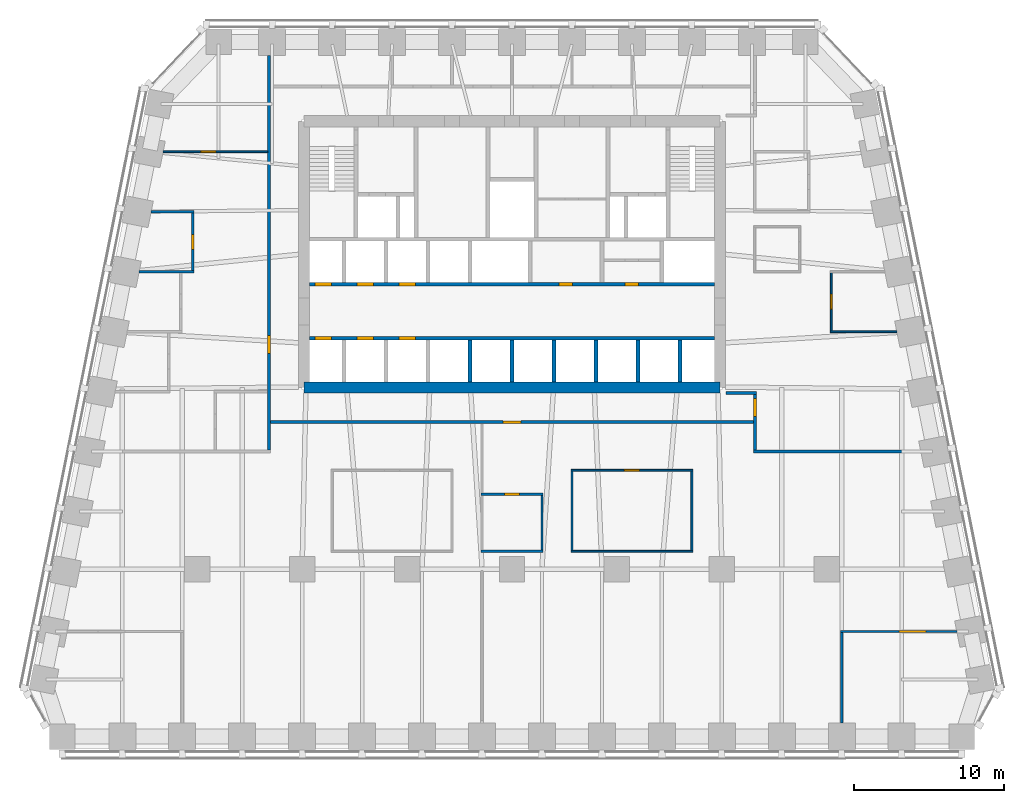
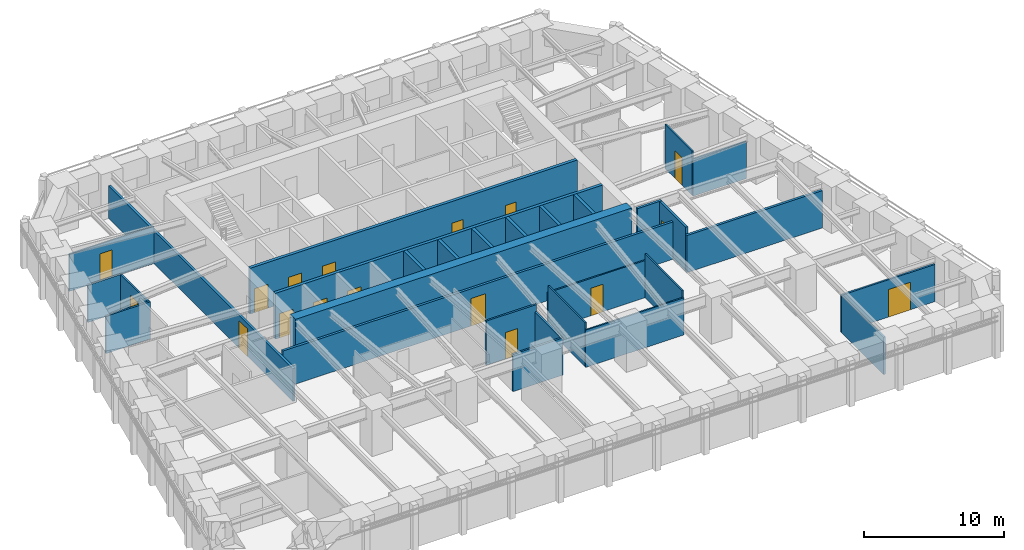
# One storey, part 6 of 10: 29 walls, 17 doors, 17 openings.
"""IFC4 building model written with IfcOpenShell, lengths in metres."""

from ifc_helpers import new_model, si_unit, direction, frame, frame_2d, origin, place, context, subcontext, project, spatial, rectangle, extrude, material, layer, layer_set, type_object, element, fill, save


model = new_model("IFC4")

# Units and contexts
model_context = context("Model", 3, precision=1e-05, world=origin(), true_north=direction((0.0, 1.0)))
body_context = subcontext(model_context, "Body", "Model", "MODEL_VIEW")
ifc_project = project(units=[si_unit("LENGTHUNIT", "METRE"), si_unit("AREAUNIT", "SQUARE_METRE"), si_unit("VOLUMEUNIT", "CUBIC_METRE"), si_unit("PLANEANGLEUNIT", "RADIAN"), si_unit("MASSUNIT", "GRAM", prefix="KILO")], contexts=[model_context])

# Site, building, storey
site_placement = place(None, origin())
site = spatial("IfcSite", under=ifc_project, at=site_placement, CompositionType="ELEMENT")
building_placement = place(site_placement, origin())
building = spatial("IfcBuilding", under=site, at=building_placement, Name="Isbrekke Arena Tower", CompositionType="ELEMENT")
storey_placement = place(building_placement, frame((0.0, 0.0, 123.0)))
storey = spatial("IfcBuildingStorey", under=building, at=storey_placement, Name="L27", CompositionType="ELEMENT", Elevation=123.0)

# Wall
ifc_material_1 = material(Name="Concrete B55 (C55/67)", Category="concrete")
ifc_layer_1 = layer(ifc_material_1, 0.75)
ifc_layer_set_1 = layer_set([ifc_layer_1], Name="CW3 CORE WALL 750")
wall_type_1 = type_object("IfcWallType", Name="CW3 CORE WALL 750", PredefinedType="SHEAR", material=ifc_layer_set_1)
wall_1_placement = place(storey_placement, frame((-13.875, 6.125, 0.0), z_axis=(0.0, 0.0, 1.0), x_axis=(1.0, 0.0, 0.0)))
element("IfcWall", 1, at=wall_1_placement, inside=storey, type_object=wall_type_1, Name="Core wall S L27", PredefinedType="SHEAR", context=body_context, shape_type="SweptSolid", body=[
    extrude(rectangle(XDim=27.75, YDim=0.75, at=frame_2d((13.875, 0.0))), origin(), (0.0, 0.0, 1.0), 4.0),
])

# Wall, openings, doors
ifc_material_2 = material(Name="Concrete B45 (C45/55)", Category="concrete")
ifc_layer_2 = layer(ifc_material_2, 0.25)
ifc_layer_set_2 = layer_set([ifc_layer_2], Name="CW6 SHAFT WALL 250")
wall_type_2 = type_object("IfcWallType", Name="CW6 SHAFT WALL 250", PredefinedType="SHEAR", material=ifc_layer_set_2)
wall_2_placement = place(storey_placement, frame((-13.5, 9.39990234375, 0.0), z_axis=(0.0, 0.0, 1.0), x_axis=(1.0, 0.0, 0.0)))
wall_2 = element("IfcWall", 2, at=wall_2_placement, inside=storey, type_object=wall_type_2, Name="Core wall LS L27", PredefinedType="SHEAR", context=body_context, shape_type="SweptSolid", body=[
    extrude(rectangle(XDim=27.0, YDim=0.25, at=frame_2d((13.5, 0.0))), origin(), (0.0, 0.0, 1.0), 4.0),
])
opening_1_placement = place(wall_2_placement, frame((0.35009765625, 0.0, 0.0)))
opening_1 = element("IfcOpeningElement", 3, at=opening_1_placement, cuts=wall_2, Name="Opening LD1", PredefinedType="OPENING", context=body_context, shape_type="SweptSolid", body=[
    extrude(rectangle(XDim=1.10009765625, YDim=2.10009765625, at=frame_2d((0.550048828125, 1.050048828125))), frame((0.0, 0.139892578125, 0.0), z_axis=(0.0, -1.0, 0.0), x_axis=(1.0, 0.0, 0.0)), (0.0, 0.0, 1.0), 0.27978515625),
])
opening_2_placement = place(wall_2_placement, frame((3.14990234375, 0.0, 0.0)))
opening_2 = element("IfcOpeningElement", 4, at=opening_2_placement, cuts=wall_2, Name="Opening LD1", PredefinedType="OPENING", context=body_context, shape_type="SweptSolid", body=[
    extrude(rectangle(XDim=1.10009765625, YDim=2.10009765625, at=frame_2d((0.550048828125, 1.050048828125))), frame((0.0, 0.139892578125, 0.0), z_axis=(0.0, -1.0, 0.0), x_axis=(1.0, 0.0, 0.0)), (0.0, 0.0, 1.0), 0.27978515625),
])
opening_3_placement = place(wall_2_placement, frame((5.949951171875, 0.0, 0.0)))
opening_3 = element("IfcOpeningElement", 5, at=opening_3_placement, cuts=wall_2, Name="Opening LD1", PredefinedType="OPENING", context=body_context, shape_type="SweptSolid", body=[
    extrude(rectangle(XDim=1.10009765625, YDim=2.10009765625, at=frame_2d((0.550048828125, 1.050048828125))), frame((0.0, 0.139892578125, 0.0), z_axis=(0.0, -1.0, 0.0), x_axis=(1.0, 0.0, 0.0)), (0.0, 0.0, 1.0), 0.27978515625),
])
ifc_material_3 = material(Name="Stainless steel lift landing door", Category="steel")
door_type_1 = type_object("IfcDoorType", Name="LD1 LIFT LANDING DOOR 1100 x 2100", OperationType="SLIDING_TO_LEFT", PredefinedType="DOOR", material=ifc_material_3)
door_1_placement = place(opening_1_placement, origin())
door_1 = element("IfcDoor", 6, at=door_1_placement, inside=storey, type_object=door_type_1, Name="LD1 lift landing door LB L27", OperationType="SLIDING_TO_LEFT", OverallHeight=2.10009765625, OverallWidth=1.10009765625, PredefinedType="DOOR", context=body_context, shape_type="SweptSolid", body=[
    extrude(rectangle(XDim=1.10009765625, YDim=2.10009765625, at=frame_2d((0.550048828125, 1.050048828125))), frame((0.0, 0.124755859375, 0.0), z_axis=(0.0, -1.0, 0.0), x_axis=(1.0, 0.0, 0.0)), (0.0, 0.0, 1.0), 0.24951171875),
])
fill(opening_1, door_1)
door_2_placement = place(opening_2_placement, origin())
door_2 = element("IfcDoor", 7, at=door_2_placement, inside=storey, type_object=door_type_1, Name="LD1 lift landing door LB L27", OperationType="SLIDING_TO_LEFT", OverallHeight=2.10009765625, OverallWidth=1.10009765625, PredefinedType="DOOR", context=body_context, shape_type="SweptSolid", body=[
    extrude(rectangle(XDim=1.10009765625, YDim=2.10009765625, at=frame_2d((0.550048828125, 1.050048828125))), frame((0.0, 0.124755859375, 0.0), z_axis=(0.0, -1.0, 0.0), x_axis=(1.0, 0.0, 0.0)), (0.0, 0.0, 1.0), 0.24951171875),
])
fill(opening_2, door_2)
door_3_placement = place(opening_3_placement, origin())
door_3 = element("IfcDoor", 8, at=door_3_placement, inside=storey, type_object=door_type_1, Name="LD1 lift landing door LB L27", OperationType="SLIDING_TO_LEFT", OverallHeight=2.10009765625, OverallWidth=1.10009765625, PredefinedType="DOOR", context=body_context, shape_type="SweptSolid", body=[
    extrude(rectangle(XDim=1.10009765625, YDim=2.10009765625, at=frame_2d((0.550048828125, 1.050048828125))), frame((0.0, 0.124755859375, 0.0), z_axis=(0.0, -1.0, 0.0), x_axis=(1.0, 0.0, 0.0)), (0.0, 0.0, 1.0), 0.24951171875),
])
fill(opening_3, door_3)

wall_3_placement = place(storey_placement, frame((-13.5, 13.0, 0.0), z_axis=(0.0, 0.0, 1.0), x_axis=(1.0, 0.0, 0.0)))
wall_3 = element("IfcWall", 9, at=wall_3_placement, inside=storey, type_object=wall_type_2, Name="Core wall LN L27", PredefinedType="SHEAR", context=body_context, shape_type="SweptSolid", body=[
    extrude(rectangle(XDim=27.0, YDim=0.25, at=frame_2d((13.5, 0.0))), origin(), (0.0, 0.0, 1.0), 4.0),
])
opening_4_placement = place(wall_3_placement, frame((0.35009765625, 0.0, 0.0)))
opening_4 = element("IfcOpeningElement", 10, at=opening_4_placement, cuts=wall_3, Name="Opening LD1", PredefinedType="OPENING", context=body_context, shape_type="SweptSolid", body=[
    extrude(rectangle(XDim=1.10009765625, YDim=2.10009765625, at=frame_2d((0.550048828125, 1.050048828125))), frame((0.0, 0.139892578125, 0.0), z_axis=(0.0, -1.0, 0.0), x_axis=(1.0, 0.0, 0.0)), (0.0, 0.0, 1.0), 0.27978515625),
])
opening_5_placement = place(wall_3_placement, frame((3.14990234375, 0.0, 0.0)))
opening_5 = element("IfcOpeningElement", 11, at=opening_5_placement, cuts=wall_3, Name="Opening LD1", PredefinedType="OPENING", context=body_context, shape_type="SweptSolid", body=[
    extrude(rectangle(XDim=1.10009765625, YDim=2.10009765625, at=frame_2d((0.550048828125, 1.050048828125))), frame((0.0, 0.139892578125, 0.0), z_axis=(0.0, -1.0, 0.0), x_axis=(1.0, 0.0, 0.0)), (0.0, 0.0, 1.0), 0.27978515625),
])
opening_6_placement = place(wall_3_placement, frame((5.949951171875, 0.0, 0.0)))
opening_6 = element("IfcOpeningElement", 12, at=opening_6_placement, cuts=wall_3, Name="Opening LD1", PredefinedType="OPENING", context=body_context, shape_type="SweptSolid", body=[
    extrude(rectangle(XDim=1.10009765625, YDim=2.10009765625, at=frame_2d((0.550048828125, 1.050048828125))), frame((0.0, 0.139892578125, 0.0), z_axis=(0.0, -1.0, 0.0), x_axis=(1.0, 0.0, 0.0)), (0.0, 0.0, 1.0), 0.27978515625),
])
opening_7_placement = place(wall_3_placement, frame((16.64990234375, 0.0, 0.0)))
opening_7 = element("IfcOpeningElement", 13, at=opening_7_placement, cuts=wall_3, Name="Opening D5", PredefinedType="OPENING", context=body_context, shape_type="SweptSolid", body=[
    extrude(rectangle(XDim=0.89990234375, YDim=2.10009765625, at=frame_2d((0.449951171875, 1.050048828125))), frame((0.0, 0.139892578125, 0.0), z_axis=(0.0, -1.0, 0.0), x_axis=(1.0, 0.0, 0.0)), (0.0, 0.0, 1.0), 0.27978515625),
])
opening_8_placement = place(wall_3_placement, frame((21.050048828125, 0.0, 0.0)))
opening_8 = element("IfcOpeningElement", 14, at=opening_8_placement, cuts=wall_3, Name="Opening D5", PredefinedType="OPENING", context=body_context, shape_type="SweptSolid", body=[
    extrude(rectangle(XDim=0.89990234375, YDim=2.10009765625, at=frame_2d((0.449951171875, 1.050048828125))), frame((0.0, 0.139892578125, 0.0), z_axis=(0.0, -1.0, 0.0), x_axis=(1.0, 0.0, 0.0)), (0.0, 0.0, 1.0), 0.27978515625),
])
ifc_material_4 = material(Name="Steel fire door", Category="steel")
door_type_2 = type_object("IfcDoorType", Name="D5 SERVICE DOOR 900 x 2100", OperationType="SINGLE_SWING_LEFT", PredefinedType="DOOR", material=ifc_material_4)
door_4_placement = place(opening_7_placement, origin())
door_4 = element("IfcDoor", 15, at=door_4_placement, inside=storey, type_object=door_type_2, Name="D5 cleaner's store door L27", OperationType="SINGLE_SWING_LEFT", OverallHeight=2.10009765625, OverallWidth=0.89990234375, PredefinedType="DOOR", context=body_context, shape_type="SweptSolid", body=[
    extrude(rectangle(XDim=0.89990234375, YDim=2.10009765625, at=frame_2d((0.449951171875, 1.050048828125))), frame((0.0, 0.124755859375, 0.0), z_axis=(0.0, -1.0, 0.0), x_axis=(1.0, 0.0, 0.0)), (0.0, 0.0, 1.0), 0.24951171875),
])
fill(opening_7, door_4)
door_5_placement = place(opening_8_placement, origin())
door_5 = element("IfcDoor", 16, at=door_5_placement, inside=storey, type_object=door_type_2, Name="D5 communications room door L27", OperationType="SINGLE_SWING_LEFT", OverallHeight=2.10009765625, OverallWidth=0.89990234375, PredefinedType="DOOR", context=body_context, shape_type="SweptSolid", body=[
    extrude(rectangle(XDim=0.89990234375, YDim=2.10009765625, at=frame_2d((0.449951171875, 1.050048828125))), frame((0.0, 0.124755859375, 0.0), z_axis=(0.0, -1.0, 0.0), x_axis=(1.0, 0.0, 0.0)), (0.0, 0.0, 1.0), 0.24951171875),
])
fill(opening_8, door_5)
door_6_placement = place(opening_4_placement, origin())
door_6 = element("IfcDoor", 17, at=door_6_placement, inside=storey, type_object=door_type_1, Name="LD1 lift landing door LB L27", OperationType="SLIDING_TO_LEFT", OverallHeight=2.10009765625, OverallWidth=1.10009765625, PredefinedType="DOOR", context=body_context, shape_type="SweptSolid", body=[
    extrude(rectangle(XDim=1.10009765625, YDim=2.10009765625, at=frame_2d((0.550048828125, 1.050048828125))), frame((0.0, 0.124755859375, 0.0), z_axis=(0.0, -1.0, 0.0), x_axis=(1.0, 0.0, 0.0)), (0.0, 0.0, 1.0), 0.24951171875),
])
fill(opening_4, door_6)
door_7_placement = place(opening_5_placement, origin())
door_7 = element("IfcDoor", 18, at=door_7_placement, inside=storey, type_object=door_type_1, Name="LD1 lift landing door LB L27", OperationType="SLIDING_TO_LEFT", OverallHeight=2.10009765625, OverallWidth=1.10009765625, PredefinedType="DOOR", context=body_context, shape_type="SweptSolid", body=[
    extrude(rectangle(XDim=1.10009765625, YDim=2.10009765625, at=frame_2d((0.550048828125, 1.050048828125))), frame((0.0, 0.124755859375, 0.0), z_axis=(0.0, -1.0, 0.0), x_axis=(1.0, 0.0, 0.0)), (0.0, 0.0, 1.0), 0.24951171875),
])
fill(opening_5, door_7)
door_8_placement = place(opening_6_placement, origin())
door_8 = element("IfcDoor", 19, at=door_8_placement, inside=storey, type_object=door_type_1, Name="LD1 lift landing door LB L27", OperationType="SLIDING_TO_LEFT", OverallHeight=2.10009765625, OverallWidth=1.10009765625, PredefinedType="DOOR", context=body_context, shape_type="SweptSolid", body=[
    extrude(rectangle(XDim=1.10009765625, YDim=2.10009765625, at=frame_2d((0.550048828125, 1.050048828125))), frame((0.0, 0.124755859375, 0.0), z_axis=(0.0, -1.0, 0.0), x_axis=(1.0, 0.0, 0.0)), (0.0, 0.0, 1.0), 0.24951171875),
])
fill(opening_6, door_8)

# Walls
for number, where, z_axis, x_axis, name in (
    (20, (-2.800048828125, 6.5, 0.0), (0.0, 0.0, 1.0), (0.0, 1.0, 0.0), "Core wall SS04 L27"),
    (21, (0.0, 6.5, 0.0), (0.0, 0.0, 1.0), (0.0, 1.0, 0.0), "Core wall SS05 L27"),
    (22, (2.800048828125, 6.5, 0.0), (0.0, 0.0, 1.0), (0.0, 1.0, 0.0), "Core wall SS06 L27"),
    (23, (5.60009765625, 6.5, 0.0), (0.0, 0.0, 1.0), (0.0, 1.0, 0.0), "Core wall SS07 L27"),
    (24, (8.39990234375, 6.5, 0.0), (0.0, 0.0, 1.0), (0.0, 1.0, 0.0), "Core wall SS08 L27"),
    (25, (11.199951171875, 6.5, 0.0), (0.0, 0.0, 1.0), (0.0, 1.0, 0.0), "Core wall SS09 L27"),
):
    element("IfcWall", number, at=place(storey_placement, frame(where, z_axis=z_axis, x_axis=x_axis)), inside=storey, type_object=wall_type_2, Name=name, PredefinedType="SHEAR", context=body_context, shape_type="SweptSolid", body=[
        extrude(rectangle(XDim=2.77490234375, YDim=0.25, at=frame_2d((1.387451171875, 0.0))), origin(), (0.0, 0.0, 1.0), 4.0),
    ])

# Wall, opening, door
ifc_material_5 = material(Name="Gypsum board partition on steel studs", Category="steel")
ifc_layer_3 = layer(ifc_material_5, 0.14990234375)
ifc_layer_set_3 = layer_set([ifc_layer_3], Name="IW1 PARTITION 150")
wall_type_3 = type_object("IfcWallType", Name="IW1 PARTITION 150", PredefinedType="PARTITIONING", material=ifc_layer_set_3)
wall_4_placement = place(storey_placement, frame((21.925048828125, -10.159912109375, 0.0), z_axis=(0.0, 0.0, 1.0), x_axis=(1.0, 0.0, 0.0)))
wall_4 = element("IfcWall", 26, at=wall_4_placement, inside=storey, type_object=wall_type_3, Name="IW1 partition 150 L27", PredefinedType="PARTITIONING", context=body_context, shape_type="SweptSolid", body=[
    extrude(rectangle(XDim=7.747802734375, YDim=0.14990234375, at=frame_2d((3.8740234375, 0.0))), origin(), (0.0, 0.0, 1.0), 3.25),
])
opening_9_placement = place(wall_4_placement, frame((3.90673828125, 0.0, 0.0)))
opening_9 = element("IfcOpeningElement", 27, at=opening_9_placement, cuts=wall_4, Name="Opening D13", PredefinedType="OPENING", context=body_context, shape_type="SweptSolid", body=[
    extrude(rectangle(XDim=1.800048828125, YDim=2.39990234375, at=frame_2d((0.89990234375, 1.199951171875))), frame((0.0, 0.08984375, 0.0), z_axis=(0.0, -1.0, 0.0), x_axis=(1.0, 0.0, 0.0)), (0.0, 0.0, 1.0), 0.1796875),
])
ifc_material_6 = material(Name="Timber door pair", Category="wood")
door_type_3 = type_object("IfcDoorType", Name="D13 DOUBLE ROOM DOOR 1800 x 2400", OperationType="DOUBLE_DOOR_SINGLE_SWING", PredefinedType="DOOR", material=ifc_material_6)
door_9_placement = place(opening_9_placement, origin())
door_9 = element("IfcDoor", 28, at=door_9_placement, inside=storey, type_object=door_type_3, Name="D13 office door L27", OperationType="DOUBLE_DOOR_SINGLE_SWING", OverallHeight=2.39990234375, OverallWidth=1.800048828125, PredefinedType="DOOR", context=body_context, shape_type="SweptSolid", body=[
    extrude(rectangle(XDim=1.800048828125, YDim=2.39990234375, at=frame_2d((0.89990234375, 1.199951171875))), frame((0.0, 0.07470703125, 0.0), z_axis=(0.0, -1.0, 0.0), x_axis=(1.0, 0.0, 0.0)), (0.0, 0.0, 1.0), 0.1494140625),
])
fill(opening_9, door_9)

# Wall
wall_5_placement = place(storey_placement, frame((-2.074951171875, -4.800048828125, 0.0), z_axis=(0.0, 0.0, 1.0), x_axis=(1.0, 0.0, 0.0)))
element("IfcWall", 29, at=wall_5_placement, inside=storey, type_object=wall_type_3, Name="IW1 partition 150 L27", PredefinedType="PARTITIONING", context=body_context, shape_type="SweptSolid", body=[
    extrude(rectangle(XDim=4.14990234375, YDim=0.14990234375, at=frame_2d((2.074951171875, 0.0))), origin(), (0.0, 0.0, 1.0), 3.25),
])

# Wall, opening, door
wall_6_placement = place(storey_placement, frame((-2.074951171875, -1.0, 0.0), z_axis=(0.0, 0.0, 1.0), x_axis=(1.0, 0.0, 0.0)))
wall_6 = element("IfcWall", 30, at=wall_6_placement, inside=storey, type_object=wall_type_3, Name="IW1 partition 150 L27", PredefinedType="PARTITIONING", context=body_context, shape_type="SweptSolid", body=[
    extrude(rectangle(XDim=4.14990234375, YDim=0.14990234375, at=frame_2d((2.074951171875, 0.0))), origin(), (0.0, 0.0, 1.0), 3.85009765625),
])
opening_10_placement = place(wall_6_placement, frame((1.574951171875, 0.0, 0.0)))
opening_10 = element("IfcOpeningElement", 31, at=opening_10_placement, cuts=wall_6, Name="Opening D10", PredefinedType="OPENING", context=body_context, shape_type="SweptSolid", body=[
    extrude(rectangle(XDim=1.0, YDim=2.300048828125, at=frame_2d((0.5, 1.14990234375))), frame((0.0, 0.08984375, 0.0), z_axis=(0.0, -1.0, 0.0), x_axis=(1.0, 0.0, 0.0)), (0.0, 0.0, 1.0), 0.1796875),
])
ifc_material_7 = material(Name="Timber door", Category="wood")
door_type_4 = type_object("IfcDoorType", Name="D10 OFFICE DOOR 1000 x 2300", OperationType="SINGLE_SWING_LEFT", PredefinedType="DOOR", material=ifc_material_7)
door_10_placement = place(opening_10_placement, origin())
door_10 = element("IfcDoor", 32, at=door_10_placement, inside=storey, type_object=door_type_4, Name="D10 pantry door L27", OperationType="SINGLE_SWING_LEFT", OverallHeight=2.300048828125, OverallWidth=1.0, PredefinedType="DOOR", context=body_context, shape_type="SweptSolid", body=[
    extrude(rectangle(XDim=1.0, YDim=2.300048828125, at=frame_2d((0.5, 1.14990234375))), frame((0.0, 0.07470703125, 0.0), z_axis=(0.0, -1.0, 0.0), x_axis=(1.0, 0.0, 0.0)), (0.0, 0.0, 1.0), 0.1494140625),
])
fill(opening_10, door_10)

# Walls
wall_7_placement = place(storey_placement, frame((-24.872802734375, 13.840087890625, 0.0), z_axis=(0.0, 0.0, 1.0), x_axis=(1.0, 0.0, 0.0)))
element("IfcWall", 33, at=wall_7_placement, inside=storey, type_object=wall_type_3, Name="IW1 partition 150 L27", PredefinedType="PARTITIONING", context=body_context, shape_type="SweptSolid", body=[
    extrude(rectangle(XDim=3.647705078125, YDim=0.14990234375, at=frame_2d((1.82373046875, 0.0))), origin(), (0.0, 0.0, 1.0), 3.25),
])
wall_8_placement = place(storey_placement, frame((-24.07275390625, 17.840087890625, 0.0), z_axis=(0.0, 0.0, 1.0), x_axis=(1.0, 0.0, 0.0)))
element("IfcWall", 34, at=wall_8_placement, inside=storey, type_object=wall_type_3, Name="IW1 partition 150 L27", PredefinedType="PARTITIONING", context=body_context, shape_type="SweptSolid", body=[
    extrude(rectangle(XDim=2.84765625, YDim=0.14990234375, at=frame_2d((1.423828125, 0.0))), origin(), (0.0, 0.0, 1.0), 3.25),
])

# Wall, opening, door
wall_9_placement = place(storey_placement, frame((-21.300048828125, 13.9150390625, 0.0), z_axis=(0.0, 0.0, 1.0), x_axis=(0.0, 1.0, 0.0)))
wall_9 = element("IfcWall", 35, at=wall_9_placement, inside=storey, type_object=wall_type_3, Name="IW1 partition 150 L27", PredefinedType="PARTITIONING", context=body_context, shape_type="SweptSolid", body=[
    extrude(rectangle(XDim=3.849853515625, YDim=0.14990234375, at=frame_2d((1.9248046875, 0.0))), origin(), (0.0, 0.0, 1.0), 3.25),
])
opening_11_placement = place(wall_9_placement, frame((1.425048828125, 0.0, 0.0)))
opening_11 = element("IfcOpeningElement", 36, at=opening_11_placement, cuts=wall_9, Name="Opening D10", PredefinedType="OPENING", context=body_context, shape_type="SweptSolid", body=[
    extrude(rectangle(XDim=1.0, YDim=2.300048828125, at=frame_2d((0.5, 1.14990234375))), frame((0.0, 0.08984375, 0.0), z_axis=(0.0, -1.0, 0.0), x_axis=(1.0, 0.0, 0.0)), (0.0, 0.0, 1.0), 0.1796875),
])
door_11_placement = place(opening_11_placement, origin())
door_11 = element("IfcDoor", 37, at=door_11_placement, inside=storey, type_object=door_type_4, Name="D10 office door L27", OperationType="SINGLE_SWING_LEFT", OverallHeight=2.300048828125, OverallWidth=1.0, PredefinedType="DOOR", context=body_context, shape_type="SweptSolid", body=[
    extrude(rectangle(XDim=1.0, YDim=2.300048828125, at=frame_2d((0.5, 1.14990234375))), frame((0.0, 0.07470703125, 0.0), z_axis=(0.0, -1.0, 0.0), x_axis=(1.0, 0.0, 0.0)), (0.0, 0.0, 1.0), 0.1494140625),
])
fill(opening_11, door_11)

# Walls
wall_10_placement = place(storey_placement, frame((2.0, -4.72509765625, 0.0), z_axis=(0.0, 0.0, 1.0), x_axis=(0.0, 1.0, 0.0)))
element("IfcWall", 38, at=wall_10_placement, inside=storey, type_object=wall_type_3, Name="IW1 partition 150 L27", PredefinedType="PARTITIONING", context=body_context, shape_type="SweptSolid", body=[
    extrude(rectangle(XDim=3.650146484375, YDim=0.14990234375, at=frame_2d((1.8251953125, 0.0))), origin(), (0.0, 0.0, 1.0), 3.25),
])
wall_11_placement = place(storey_placement, frame((22.0, -16.27490234375, 0.0), z_axis=(0.0, 0.0, 1.0), x_axis=(0.0, 1.0, 0.0)))
element("IfcWall", 39, at=wall_11_placement, inside=storey, type_object=wall_type_3, Name="IW1 partition 150 L27", PredefinedType="PARTITIONING", context=body_context, shape_type="SweptSolid", body=[
    extrude(rectangle(XDim=6.039794921875, YDim=0.14990234375, at=frame_2d((3.02001953125, 0.0))), origin(), (0.0, 0.0, 1.0), 3.25),
])
ifc_material_8 = material(Name="Frameless glazed partition, laminated acoustic glass", Category="glass")
ifc_layer_4 = layer(ifc_material_8, 0.1201171875)
ifc_layer_set_4 = layer_set([ifc_layer_4], Name="IW2 GLAZED PARTITION 120")
wall_type_4 = type_object("IfcWallType", Name="IW2 GLAZED PARTITION 120", PredefinedType="PARTITIONING", material=ifc_layer_set_4)
wall_12_placement = place(storey_placement, frame((3.93994140625, -4.800048828125, 0.0), z_axis=(0.0, 0.0, 1.0), x_axis=(1.0, 0.0, 0.0)))
element("IfcWall", 40, at=wall_12_placement, inside=storey, type_object=wall_type_4, Name="IW2 glazed partition 120 L27", PredefinedType="PARTITIONING", context=body_context, shape_type="SweptSolid", body=[
    extrude(rectangle(XDim=8.1201171875, YDim=0.1201171875, at=frame_2d((4.06005859375, 0.0))), origin(), (0.0, 0.0, 1.0), 3.25),
])

# Wall, opening, door
wall_13_placement = place(storey_placement, frame((3.93994140625, 0.60009765625, 0.0), z_axis=(0.0, 0.0, 1.0), x_axis=(1.0, 0.0, 0.0)))
wall_13 = element("IfcWall", 41, at=wall_13_placement, inside=storey, type_object=wall_type_4, Name="IW2 glazed partition 120 L27", PredefinedType="PARTITIONING", context=body_context, shape_type="SweptSolid", body=[
    extrude(rectangle(XDim=8.1201171875, YDim=0.1201171875, at=frame_2d((4.06005859375, 0.0))), origin(), (0.0, 0.0, 1.0), 3.25),
])
opening_12_placement = place(wall_13_placement, frame((3.56005859375, 0.0, 0.0)))
opening_12 = element("IfcOpeningElement", 42, at=opening_12_placement, cuts=wall_13, Name="Opening D11", PredefinedType="OPENING", context=body_context, shape_type="SweptSolid", body=[
    extrude(rectangle(XDim=1.0, YDim=2.39990234375, at=frame_2d((0.5, 1.199951171875))), frame((0.0, 0.074951171875, 0.0), z_axis=(0.0, -1.0, 0.0), x_axis=(1.0, 0.0, 0.0)), (0.0, 0.0, 1.0), 0.14990234375),
])
ifc_material_9 = material(Name="Frameless glazed door", Category="glass")
door_type_5 = type_object("IfcDoorType", Name="D11 GLAZED MEETING ROOM DOOR 1000 x 2400", OperationType="SINGLE_SWING_RIGHT", PredefinedType="DOOR", material=ifc_material_9)
door_12_placement = place(opening_12_placement, origin())
door_12 = element("IfcDoor", 43, at=door_12_placement, inside=storey, type_object=door_type_5, Name="D11 meeting room door L27", OperationType="SINGLE_SWING_RIGHT", OverallHeight=2.39990234375, OverallWidth=1.0, PredefinedType="DOOR", context=body_context, shape_type="SweptSolid", body=[
    extrude(rectangle(XDim=1.0, YDim=2.39990234375, at=frame_2d((0.5, 1.199951171875))), frame((0.0, 0.059814453125, 0.0), z_axis=(0.0, -1.0, 0.0), x_axis=(1.0, 0.0, 0.0)), (0.0, 0.0, 1.0), 0.11962890625),
])
fill(opening_12, door_12)

# Wall
wall_14_placement = place(storey_placement, frame((21.239990234375, 9.840087890625, 0.0), z_axis=(0.0, 0.0, 1.0), x_axis=(1.0, 0.0, 0.0)))
element("IfcWall", 44, at=wall_14_placement, inside=storey, type_object=wall_type_4, Name="IW2 glazed partition 120 L27", PredefinedType="PARTITIONING", context=body_context, shape_type="SweptSolid", body=[
    extrude(rectangle(XDim=4.432861328125, YDim=0.1201171875, at=frame_2d((2.21630859375, 0.0))), origin(), (0.0, 0.0, 1.0), 3.25),
])

# Wall, opening, door
wall_15_placement = place(storey_placement, frame((-23.272705078125, 21.840087890625, 0.0), z_axis=(0.0, 0.0, 1.0), x_axis=(1.0, 0.0, 0.0)))
wall_15 = element("IfcWall", 45, at=wall_15_placement, inside=storey, type_object=wall_type_4, Name="IW2 glazed partition 120 L27", PredefinedType="PARTITIONING", context=body_context, shape_type="SweptSolid", body=[
    extrude(rectangle(XDim=6.97265625, YDim=0.1201171875, at=frame_2d((3.486328125, 0.0))), origin(), (0.0, 0.0, 1.0), 3.25),
])
opening_13_placement = place(wall_15_placement, frame((2.513671875, 0.0, 0.0)))
opening_13 = element("IfcOpeningElement", 46, at=opening_13_placement, cuts=wall_15, Name="Opening D11", PredefinedType="OPENING", context=body_context, shape_type="SweptSolid", body=[
    extrude(rectangle(XDim=1.0, YDim=2.39990234375, at=frame_2d((0.5, 1.199951171875))), frame((0.0, 0.074951171875, 0.0), z_axis=(0.0, -1.0, 0.0), x_axis=(1.0, 0.0, 0.0)), (0.0, 0.0, 1.0), 0.14990234375),
])
door_13_placement = place(opening_13_placement, origin())
door_13 = element("IfcDoor", 47, at=door_13_placement, inside=storey, type_object=door_type_5, Name="D11 meeting room door L27", OperationType="SINGLE_SWING_RIGHT", OverallHeight=2.39990234375, OverallWidth=1.0, PredefinedType="DOOR", context=body_context, shape_type="SweptSolid", body=[
    extrude(rectangle(XDim=1.0, YDim=2.39990234375, at=frame_2d((0.5, 1.199951171875))), frame((0.0, 0.059814453125, 0.0), z_axis=(0.0, -1.0, 0.0), x_axis=(1.0, 0.0, 0.0)), (0.0, 0.0, 1.0), 0.11962890625),
])
fill(opening_13, door_13)

# Walls
for number, where, z_axis, x_axis, name in (
    (48, (4.0, -4.739990234375, 0.0), (0.0, 0.0, 1.0), (0.0, 1.0, 0.0), "IW2 glazed partition 120 L27"),
    (49, (12.0, -4.739990234375, 0.0), (0.0, 0.0, 1.0), (0.0, 1.0, 0.0), "IW2 glazed partition 120 L27"),
):
    element("IfcWall", number, at=place(storey_placement, frame(where, z_axis=z_axis, x_axis=x_axis)), inside=storey, type_object=wall_type_4, Name=name, PredefinedType="PARTITIONING", context=body_context, shape_type="SweptSolid", body=[
        extrude(rectangle(XDim=5.280029296875, YDim=0.1201171875, at=frame_2d((2.64013671875, 0.0))), origin(), (0.0, 0.0, 1.0), 3.85009765625),
    ])

# Wall, opening, door
wall_16_placement = place(storey_placement, frame((21.300048828125, 9.89990234375, 0.0), z_axis=(0.0, 0.0, 1.0), x_axis=(0.0, 1.0, 0.0)))
wall_16 = element("IfcWall", 50, at=wall_16_placement, inside=storey, type_object=wall_type_4, Name="IW2 glazed partition 120 L27", PredefinedType="PARTITIONING", context=body_context, shape_type="SweptSolid", body=[
    extrude(rectangle(XDim=3.880126953125, YDim=0.1201171875, at=frame_2d((1.93994140625, 0.0))), origin(), (0.0, 0.0, 1.0), 3.85009765625),
])
opening_14_placement = place(wall_16_placement, frame((1.43994140625, 0.0, 0.0)))
opening_14 = element("IfcOpeningElement", 51, at=opening_14_placement, cuts=wall_16, Name="Opening D11", PredefinedType="OPENING", context=body_context, shape_type="SweptSolid", body=[
    extrude(rectangle(XDim=1.0, YDim=2.39990234375, at=frame_2d((0.5, 1.199951171875))), frame((0.0, 0.074951171875, 0.0), z_axis=(0.0, -1.0, 0.0), x_axis=(1.0, 0.0, 0.0)), (0.0, 0.0, 1.0), 0.14990234375),
])
door_14_placement = place(opening_14_placement, origin())
door_14 = element("IfcDoor", 52, at=door_14_placement, inside=storey, type_object=door_type_5, Name="D11 meeting room door L27", OperationType="SINGLE_SWING_RIGHT", OverallHeight=2.39990234375, OverallWidth=1.0, PredefinedType="DOOR", context=body_context, shape_type="SweptSolid", body=[
    extrude(rectangle(XDim=1.0, YDim=2.39990234375, at=frame_2d((0.5, 1.199951171875))), frame((0.0, 0.059814453125, 0.0), z_axis=(0.0, -1.0, 0.0), x_axis=(1.0, 0.0, 0.0)), (0.0, 0.0, 1.0), 0.11962890625),
])
fill(opening_14, door_14)

# Wall
ifc_material_10 = material(Name="Gypsum board fire-cell wall on steel studs, two layers each side", Category="steel")
ifc_layer_5 = layer(ifc_material_10, 0.199951171875)
ifc_layer_set_5 = layer_set([ifc_layer_5], Name="IW3 FIRE-CELL WALL 200")
wall_type_5 = type_object("IfcWallType", Name="IW3 FIRE-CELL WALL 200", PredefinedType="PARTITIONING", material=ifc_layer_set_5)
wall_17_placement = place(storey_placement, frame((16.10009765625, 1.840087890625, 0.0), z_axis=(0.0, 0.0, 1.0), x_axis=(1.0, 0.0, 0.0)))
element("IfcWall", 53, at=wall_17_placement, inside=storey, type_object=wall_type_5, Name="IW3 fire-cell wall 200 L27", PredefinedType="PARTITIONING", context=body_context, shape_type="SweptSolid", body=[
    extrude(rectangle(XDim=11.172607421875, YDim=0.199951171875, at=frame_2d((5.58642578125, 0.0))), origin(), (0.0, 0.0, 1.0), 3.25),
])

# Wall, opening, door
wall_18_placement = place(storey_placement, frame((-16.10009765625, 3.800048828125, 0.0), z_axis=(0.0, 0.0, 1.0), x_axis=(1.0, 0.0, 0.0)))
wall_18 = element("IfcWall", 54, at=wall_18_placement, inside=storey, type_object=wall_type_5, Name="IW3 fire-cell wall 200 L27", PredefinedType="PARTITIONING", context=body_context, shape_type="SweptSolid", body=[
    extrude(rectangle(XDim=32.2001953125, YDim=0.199951171875, at=frame_2d((16.10009765625, 0.0))), origin(), (0.0, 0.0, 1.0), 3.25),
])
opening_15_placement = place(wall_18_placement, frame((15.5, 0.0, 0.0)))
opening_15 = element("IfcOpeningElement", 55, at=opening_15_placement, cuts=wall_18, Name="Opening D12", PredefinedType="OPENING", context=body_context, shape_type="SweptSolid", body=[
    extrude(rectangle(XDim=1.199951171875, YDim=2.39990234375, at=frame_2d((0.60009765625, 1.199951171875))), frame((0.0, 0.11474609375, 0.0), z_axis=(0.0, -1.0, 0.0), x_axis=(1.0, 0.0, 0.0)), (0.0, 0.0, 1.0), 0.229736328125),
])
ifc_material_11 = material(Name="Timber fire door with vision panel", Category="wood")
door_type_6 = type_object("IfcDoorType", Name="D12 SUITE ENTRANCE DOOR 1200 x 2400", OperationType="SINGLE_SWING_LEFT", PredefinedType="DOOR", material=ifc_material_11)
door_15_placement = place(opening_15_placement, origin())
door_15 = element("IfcDoor", 56, at=door_15_placement, inside=storey, type_object=door_type_6, Name="D12 suite entrance S door L27", OperationType="SINGLE_SWING_LEFT", OverallHeight=2.39990234375, OverallWidth=1.199951171875, PredefinedType="DOOR", context=body_context, shape_type="SweptSolid", body=[
    extrude(rectangle(XDim=1.199951171875, YDim=2.39990234375, at=frame_2d((0.60009765625, 1.199951171875))), frame((0.0, 0.099609375, 0.0), z_axis=(0.0, -1.0, 0.0), x_axis=(1.0, 0.0, 0.0)), (0.0, 0.0, 1.0), 0.199462890625),
])
fill(opening_15, door_15)

# Wall
wall_19_placement = place(storey_placement, frame((14.280029296875, 5.75, 0.0), z_axis=(0.0, 0.0, 1.0), x_axis=(1.0, 0.0, 0.0)))
element("IfcWall", 57, at=wall_19_placement, inside=storey, type_object=wall_type_5, Name="IW3 fire-cell wall 200 L27", PredefinedType="PARTITIONING", context=body_context, shape_type="SweptSolid", body=[
    extrude(rectangle(XDim=2.02001953125, YDim=0.199951171875, at=frame_2d((1.010009765625, 0.0))), origin(), (0.0, 0.0, 1.0), 3.85009765625),
])

# Wall, opening, door
wall_20_placement = place(storey_placement, frame((-16.199951171875, 1.93994140625, 0.0), z_axis=(0.0, 0.0, 1.0), x_axis=(0.0, 1.0, 0.0)))
wall_20 = element("IfcWall", 58, at=wall_20_placement, inside=storey, type_object=wall_type_5, Name="IW3 fire-cell wall 200 L27", PredefinedType="PARTITIONING", context=body_context, shape_type="SweptSolid", body=[
    extrude(rectangle(XDim=26.3349609375, YDim=0.199951171875, at=frame_2d((13.16748046875, 0.0))), origin(), (0.0, 0.0, 1.0), 2.842041015625),
])
opening_16_placement = place(wall_20_placement, frame((6.4599609375, 0.0, 0.0)))
opening_16 = element("IfcOpeningElement", 59, at=opening_16_placement, cuts=wall_20, Name="Opening D12", PredefinedType="OPENING", context=body_context, shape_type="SweptSolid", body=[
    extrude(rectangle(XDim=1.199951171875, YDim=2.39990234375, at=frame_2d((0.60009765625, 1.199951171875))), frame((0.0, 0.11474609375, 0.0), z_axis=(0.0, -1.0, 0.0), x_axis=(1.0, 0.0, 0.0)), (0.0, 0.0, 1.0), 0.229736328125),
])
door_16_placement = place(opening_16_placement, origin())
door_16 = element("IfcDoor", 60, at=door_16_placement, inside=storey, type_object=door_type_6, Name="D12 suite entrance W door L27", OperationType="SINGLE_SWING_LEFT", OverallHeight=2.39990234375, OverallWidth=1.199951171875, PredefinedType="DOOR", context=body_context, shape_type="SweptSolid", body=[
    extrude(rectangle(XDim=1.199951171875, YDim=2.39990234375, at=frame_2d((0.60009765625, 1.199951171875))), frame((0.0, 0.099609375, 0.0), z_axis=(0.0, -1.0, 0.0), x_axis=(1.0, 0.0, 0.0)), (0.0, 0.0, 1.0), 0.199462890625),
])
fill(opening_16, door_16)

wall_21_placement = place(storey_placement, frame((16.199951171875, 1.93994140625, 0.0), z_axis=(0.0, 0.0, 1.0), x_axis=(0.0, 1.0, 0.0)))
wall_21 = element("IfcWall", 61, at=wall_21_placement, inside=storey, type_object=wall_type_5, Name="IW3 fire-cell wall 200 L27", PredefinedType="PARTITIONING", context=body_context, shape_type="SweptSolid", body=[
    extrude(rectangle(XDim=3.7099609375, YDim=0.199951171875, at=frame_2d((1.85498046875, 0.0))), origin(), (0.0, 0.0, 1.0), 3.85009765625),
])
opening_17_placement = place(wall_21_placement, frame((2.239990234375, 0.0, 0.0)))
opening_17 = element("IfcOpeningElement", 62, at=opening_17_placement, cuts=wall_21, Name="Opening D12", PredefinedType="OPENING", context=body_context, shape_type="SweptSolid", body=[
    extrude(rectangle(XDim=1.199951171875, YDim=2.39990234375, at=frame_2d((0.60009765625, 1.199951171875))), frame((0.0, 0.11474609375, 0.0), z_axis=(0.0, -1.0, 0.0), x_axis=(1.0, 0.0, 0.0)), (0.0, 0.0, 1.0), 0.229736328125),
])
door_17_placement = place(opening_17_placement, origin())
door_17 = element("IfcDoor", 63, at=door_17_placement, inside=storey, type_object=door_type_6, Name="D12 suite entrance E door L27", OperationType="SINGLE_SWING_LEFT", OverallHeight=2.39990234375, OverallWidth=1.199951171875, PredefinedType="DOOR", context=body_context, shape_type="SweptSolid", body=[
    extrude(rectangle(XDim=1.199951171875, YDim=2.39990234375, at=frame_2d((0.60009765625, 1.199951171875))), frame((0.0, 0.099609375, 0.0), z_axis=(0.0, -1.0, 0.0), x_axis=(1.0, 0.0, 0.0)), (0.0, 0.0, 1.0), 0.199462890625),
])
fill(opening_17, door_17)

save(model, "model.ifc")
